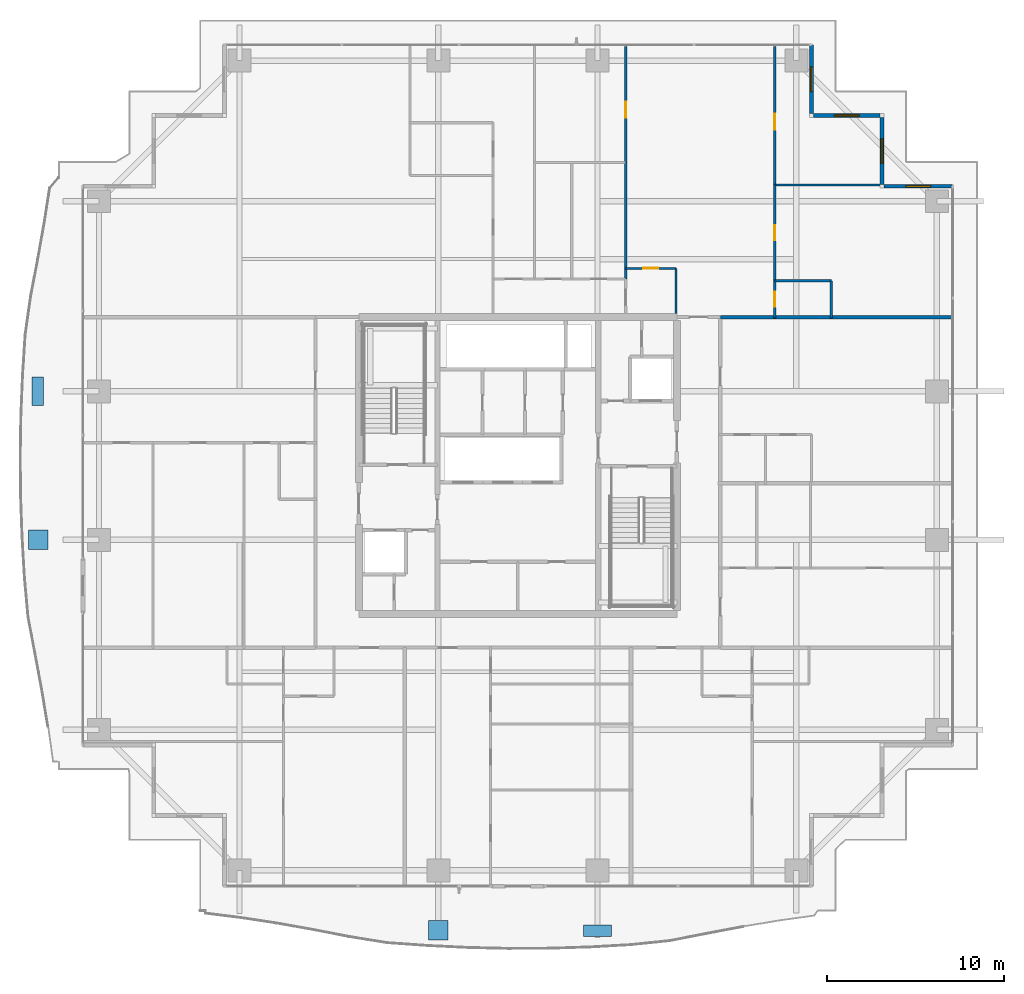
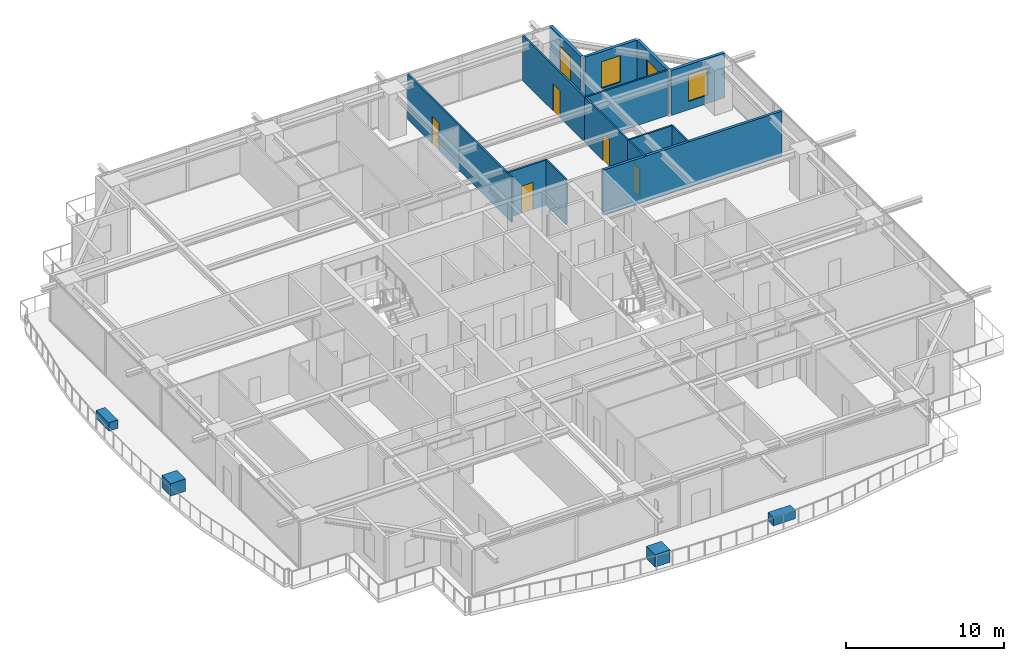
# One storey, part 27 of 35: 15 walls, 5 doors, 4 discrete accessories, 4 windows, 9 openings.
"""IFC4 building model written with IfcOpenShell, lengths in metres."""

from ifc_helpers import new_model, si_unit, direction, frame, frame_2d, origin, origin_2d, place, context, subcontext, project, spatial, rectangle, extrude, source, transform, mapped, material, layer, layer_set, type_object, element, fill, save


model = new_model("IFC4")

# Units and contexts
model_context = context("Model", 3, precision=1e-05, world=origin(), true_north=direction((0.0, 1.0)))
body_context = subcontext(model_context, "Body", "Model", "MODEL_VIEW")
ifc_project = project(units=[si_unit("LENGTHUNIT", "METRE"), si_unit("AREAUNIT", "SQUARE_METRE"), si_unit("VOLUMEUNIT", "CUBIC_METRE"), si_unit("PLANEANGLEUNIT", "RADIAN"), si_unit("MASSUNIT", "GRAM", prefix="KILO")], contexts=[model_context])

# Site, building, storey
site_placement = place(None, origin())
site = spatial("IfcSite", under=ifc_project, at=site_placement, CompositionType="ELEMENT")
building_placement = place(site_placement, origin())
building = spatial("IfcBuilding", under=site, at=building_placement, Name="Serunith Strait Residences", CompositionType="ELEMENT")
storey_placement = place(building_placement, frame((0.0, 0.0, 157.64990234375)))
storey = spatial("IfcBuildingStorey", under=building, at=storey_placement, Name="L39", CompositionType="ELEMENT", Elevation=157.64990234375)

# Wall, opening, window
ifc_material_1 = material(Name="Pale-Champagne Aluminium Insulated Panel", Category="aluminium")
ifc_layer_1 = layer(ifc_material_1, 0.219970703125, Name="Pale-Champagne Aluminium Insulated Panel")
ifc_layer_set_1 = layer_set([ifc_layer_1], Name="Pale-Champagne Aluminium Insulated Panel")
wall_type_1 = type_object("IfcWallType", Name="EW-ALUM-220", PredefinedType="ELEMENTEDWALL", material=ifc_layer_set_1)
wall_1_placement = place(storey_placement, frame((57.0, 41.0, 0.0), z_axis=(0.0, 0.0, 1.0), x_axis=(-1.0, 0.0, 0.0)))
wall_1 = element("IfcWall", 1, at=wall_1_placement, inside=storey, type_object=wall_type_1, Name="L39 Girih Serrated Corner Wall 07", PredefinedType="ELEMENTEDWALL", context=body_context, shape_type="SweptSolid", body=[
    extrude(rectangle(XDim=3.889892578125, YDim=0.219970703125, at=frame_2d((1.94482421875, 0.0))), origin(), (0.0, 0.0, 1.0), 3.47509765625),
])
opening_1_placement = place(wall_1_placement, frame((1.2451171875, 0.0, 0.64990234375)))
opening_1 = element("IfcOpeningElement", 2, at=opening_1_placement, cuts=wall_1, Name="Opening W-03", PredefinedType="OPENING", context=body_context, shape_type="SweptSolid", body=[
    extrude(rectangle(XDim=1.39990234375, YDim=2.050048828125, at=frame_2d((0.699951171875, 1.02490234375))), frame((0.0, 0.1201171875, 0.0), z_axis=(0.0, -1.0, 0.0), x_axis=(1.0, 0.0, 0.0)), (0.0, 0.0, 1.0), 0.239990234375),
])
ifc_material_2 = material(Name="Ceramic-Fritted Operable Aluminium Window Glass", Category="aluminium")
window_type = type_object("IfcWindowType", Name="WIN-C3", PartitioningType="SINGLE_PANEL", PredefinedType="WINDOW", material=ifc_material_2)
shared_shape_1 = source(origin(), body_context, "Body", "SweptSolid", [
    extrude(rectangle(XDim=1.39990234375, YDim=2.050048828125, at=frame_2d((0.699951171875, 1.02490234375))), frame((0.0, 0.030029296875, 0.0), z_axis=(0.0, -1.0, 0.0), x_axis=(1.0, 0.0, 0.0)), (0.0, 0.0, 1.0), 0.06005859375),
])
window_1_placement = place(opening_1_placement, origin())
window_1 = element("IfcWindow", 3, at=window_1_placement, inside=storey, type_object=window_type, Name="L39 Corner Operable Fritted Window 07", OverallHeight=2.050048828125, OverallWidth=1.39990234375, PartitioningType="SINGLE_PANEL", PredefinedType="WINDOW", context=body_context, shape_type="MappedRepresentation", body=[
    mapped(shared_shape_1, transform((0.0, 0.0, 0.0), scale=1.0)),
])
fill(opening_1, window_1)

wall_2_placement = place(storey_placement, frame((53.0, 41.110107421875, 0.0), z_axis=(0.0, 0.0, 1.0), x_axis=(0.0, 1.0, 0.0)))
wall_2 = element("IfcWall", 4, at=wall_2_placement, inside=storey, type_object=wall_type_1, Name="L39 Girih Serrated Corner Wall 08", PredefinedType="ELEMENTEDWALL", context=body_context, shape_type="SweptSolid", body=[
    extrude(rectangle(XDim=3.77978515625, YDim=0.219970703125, at=frame_2d((1.889892578125, 0.0))), origin(), (0.0, 0.0, 1.0), 3.47509765625),
])
opening_2_placement = place(wall_2_placement, frame((1.18994140625, 0.0, 0.64990234375)))
opening_2 = element("IfcOpeningElement", 5, at=opening_2_placement, cuts=wall_2, Name="Opening W-03", PredefinedType="OPENING", context=body_context, shape_type="SweptSolid", body=[
    extrude(rectangle(XDim=1.39990234375, YDim=2.050048828125, at=frame_2d((0.699951171875, 1.02490234375))), frame((0.0, 0.1201171875, 0.0), z_axis=(0.0, -1.0, 0.0), x_axis=(1.0, 0.0, 0.0)), (0.0, 0.0, 1.0), 0.239990234375),
])
window_2_placement = place(opening_2_placement, origin())
window_2 = element("IfcWindow", 6, at=window_2_placement, inside=storey, type_object=window_type, Name="L39 Corner Operable Fritted Window 08", OverallHeight=2.050048828125, OverallWidth=1.39990234375, PartitioningType="SINGLE_PANEL", PredefinedType="WINDOW", context=body_context, shape_type="MappedRepresentation", body=[
    mapped(shared_shape_1, transform((0.0, 0.0, 0.0), scale=1.0)),
])
fill(opening_2, window_2)

wall_3_placement = place(storey_placement, frame((52.889892578125, 45.0, 0.0), z_axis=(0.0, 0.0, 1.0), x_axis=(-1.0, 0.0, 0.0)))
wall_3 = element("IfcWall", 7, at=wall_3_placement, inside=storey, type_object=wall_type_1, Name="L39 Girih Serrated Corner Wall 09", PredefinedType="ELEMENTEDWALL", context=body_context, shape_type="SweptSolid", body=[
    extrude(rectangle(XDim=3.77978515625, YDim=0.219970703125, at=frame_2d((1.889892578125, 0.0))), origin(), (0.0, 0.0, 1.0), 3.47509765625),
])
opening_3_placement = place(wall_3_placement, frame((1.18994140625, 0.0, 0.64990234375)))
opening_3 = element("IfcOpeningElement", 8, at=opening_3_placement, cuts=wall_3, Name="Opening W-03", PredefinedType="OPENING", context=body_context, shape_type="SweptSolid", body=[
    extrude(rectangle(XDim=1.39990234375, YDim=2.050048828125, at=frame_2d((0.699951171875, 1.02490234375))), frame((0.0, 0.1201171875, 0.0), z_axis=(0.0, -1.0, 0.0), x_axis=(1.0, 0.0, 0.0)), (0.0, 0.0, 1.0), 0.239990234375),
])
window_3_placement = place(opening_3_placement, origin())
window_3 = element("IfcWindow", 9, at=window_3_placement, inside=storey, type_object=window_type, Name="L39 Corner Operable Fritted Window 09", OverallHeight=2.050048828125, OverallWidth=1.39990234375, PartitioningType="SINGLE_PANEL", PredefinedType="WINDOW", context=body_context, shape_type="MappedRepresentation", body=[
    mapped(shared_shape_1, transform((0.0, 0.0, 0.0), scale=1.0)),
])
fill(opening_3, window_3)

wall_4_placement = place(storey_placement, frame((49.0, 45.110107421875, 0.0), z_axis=(0.0, 0.0, 1.0), x_axis=(0.0, 1.0, 0.0)))
wall_4 = element("IfcWall", 10, at=wall_4_placement, inside=storey, type_object=wall_type_1, Name="L39 Girih Serrated Corner Wall 10", PredefinedType="ELEMENTEDWALL", context=body_context, shape_type="SweptSolid", body=[
    extrude(rectangle(XDim=3.889892578125, YDim=0.219970703125, at=frame_2d((1.94482421875, 0.0))), origin(), (0.0, 0.0, 1.0), 3.47509765625),
])
opening_4_placement = place(wall_4_placement, frame((1.2451171875, 0.0, 0.64990234375)))
opening_4 = element("IfcOpeningElement", 11, at=opening_4_placement, cuts=wall_4, Name="Opening W-03", PredefinedType="OPENING", context=body_context, shape_type="SweptSolid", body=[
    extrude(rectangle(XDim=1.39990234375, YDim=2.050048828125, at=frame_2d((0.699951171875, 1.02490234375))), frame((0.0, 0.1201171875, 0.0), z_axis=(0.0, -1.0, 0.0), x_axis=(1.0, 0.0, 0.0)), (0.0, 0.0, 1.0), 0.239990234375),
])
window_4_placement = place(opening_4_placement, origin())
window_4 = element("IfcWindow", 12, at=window_4_placement, inside=storey, type_object=window_type, Name="L39 Corner Operable Fritted Window 10", OverallHeight=2.050048828125, OverallWidth=1.39990234375, PartitioningType="SINGLE_PANEL", PredefinedType="WINDOW", context=body_context, shape_type="MappedRepresentation", body=[
    mapped(shared_shape_1, transform((0.0, 0.0, 0.0), scale=1.0)),
])
fill(opening_4, window_4)

# Wall, opening, door
ifc_material_3 = material(Name="Lightweight steel-stud gypsum partition", Category="steel")
ifc_layer_2 = layer(ifc_material_3, 0.1201171875, Name="Lightweight steel-stud gypsum partition")
ifc_layer_set_2 = layer_set([ifc_layer_2], Name="Lightweight steel-stud gypsum partition")
wall_type_2 = type_object("IfcWallType", Name="IW-PART-120", PredefinedType="PARTITIONING", material=ifc_layer_set_2)
wall_5_placement = place(storey_placement, frame((38.5, 36.35009765625, 0.0), z_axis=(0.0, 0.0, 1.0), x_axis=(1.0, 0.0, 0.0)))
wall_5 = element("IfcWall", 13, at=wall_5_placement, inside=storey, type_object=wall_type_2, Name="L39 Partition Wall 055", PredefinedType="PARTITIONING", context=body_context, shape_type="SweptSolid", body=[
    extrude(rectangle(XDim=2.85009765625, YDim=0.1201171875, at=frame_2d((1.425048828125, 0.0))), origin(), (0.0, 0.0, 1.0), 3.489990234375),
])
opening_5_placement = place(wall_5_placement, frame((1.0, 0.0, 0.0)))
opening_5 = element("IfcOpeningElement", 14, at=opening_5_placement, cuts=wall_5, Name="Opening D-RM850", PredefinedType="OPENING", context=body_context, shape_type="SweptSolid", body=[
    extrude(rectangle(XDim=0.85009765625, YDim=2.10009765625, at=frame_2d((0.425048828125, 1.050048828125))), frame((0.0, 0.070068359375, 0.0), z_axis=(0.0, -1.0, 0.0), x_axis=(1.0, 0.0, 0.0)), (0.0, 0.0, 1.0), 0.14013671875),
])
ifc_material_4 = material(Name="Engineered timber flush study and kitchen door", Category="wood")
door_type_1 = type_object("IfcDoorType", Name="ID-ROOM-850", OperationType="NOTDEFINED", PredefinedType="DOOR", material=ifc_material_4)
shared_shape_2 = source(origin(), body_context, "Body", "SweptSolid", [
    extrude(rectangle(XDim=0.85009765625, YDim=2.10009765625, at=frame_2d((0.425048828125, 1.050048828125))), frame((0.0, 0.02490234375, 0.0), z_axis=(0.0, -1.0, 0.0), x_axis=(1.0, 0.0, 0.0)), (0.0, 0.0, 1.0), 0.050048828125),
])
door_1_placement = place(opening_5_placement, origin())
door_1 = element("IfcDoor", 15, at=door_1_placement, inside=storey, type_object=door_type_1, Name="L39 Kitchen 3904 Door", OperationType="SINGLE_SWING_LEFT", OverallHeight=2.10009765625, OverallWidth=0.85009765625, PredefinedType="DOOR", context=body_context, shape_type="MappedRepresentation", body=[
    mapped(shared_shape_2, transform((0.0, 0.0, 0.0), scale=1.0)),
])
fill(opening_5, door_1)

# Wall
wall_6_placement = place(storey_placement, frame((41.35009765625, 36.35009765625, 0.0), z_axis=(0.0, 0.0, 1.0), x_axis=(0.0, -1.0, 0.0)))
element("IfcWall", 16, at=wall_6_placement, inside=storey, type_object=wall_type_2, Name="L39 Partition Wall 056", PredefinedType="PARTITIONING", context=body_context, shape_type="SweptSolid", body=[
    extrude(rectangle(XDim=2.550048828125, YDim=0.1201171875, at=frame_2d((1.27490234375, 0.0))), origin(), (0.0, 0.0, 1.0), 3.489990234375),
])

# Wall, opening, door
wall_7_placement = place(storey_placement, frame((38.5, 48.905029296875, 0.0), z_axis=(0.0, 0.0, 1.0), x_axis=(0.0, -1.0, 0.0)))
wall_7 = element("IfcWall", 17, at=wall_7_placement, inside=storey, type_object=wall_type_2, Name="L39 Partition Wall 058", PredefinedType="PARTITIONING", context=body_context, shape_type="SweptSolid", body=[
    extrude(rectangle(XDim=6.568115234375, YDim=0.1201171875, at=frame_2d((3.2841796875, 0.0))), origin(), (0.0, 0.0, 1.0), 3.489990234375),
])
opening_6_placement = place(wall_7_placement, frame((3.116943359375, 0.0, 0.0)))
opening_6 = element("IfcOpeningElement", 18, at=opening_6_placement, cuts=wall_7, Name="Opening D-RM900", PredefinedType="OPENING", context=body_context, shape_type="SweptSolid", body=[
    extrude(rectangle(XDim=0.89990234375, YDim=2.10009765625, at=frame_2d((0.449951171875, 1.050048828125))), frame((0.0, 0.070068359375, 0.0), z_axis=(0.0, -1.0, 0.0), x_axis=(1.0, 0.0, 0.0)), (0.0, 0.0, 1.0), 0.14013671875),
])
ifc_material_5 = material(Name="Engineered timber flush bedroom door", Category="wood")
door_type_2 = type_object("IfcDoorType", Name="ID-ROOM-900", OperationType="NOTDEFINED", PredefinedType="DOOR", material=ifc_material_5)
shared_shape_3 = source(origin(), body_context, "Body", "SweptSolid", [
    extrude(rectangle(XDim=0.89990234375, YDim=2.10009765625, at=frame_2d((0.449951171875, 1.050048828125))), frame((0.0, 0.02490234375, 0.0), z_axis=(0.0, -1.0, 0.0), x_axis=(1.0, 0.0, 0.0)), (0.0, 0.0, 1.0), 0.050048828125),
])
door_2_placement = place(opening_6_placement, origin())
door_2 = element("IfcDoor", 19, at=door_2_placement, inside=storey, type_object=door_type_2, Name="L39 Formal Dining Room 1 3904 Door", OperationType="SINGLE_SWING_LEFT", OverallHeight=2.10009765625, OverallWidth=0.89990234375, PredefinedType="DOOR", context=body_context, shape_type="MappedRepresentation", body=[
    mapped(shared_shape_3, transform((0.0, 0.0, 0.0), scale=1.0)),
])
fill(opening_6, door_2)

# Wall
wall_8_placement = place(storey_placement, frame((38.5, 42.3349609375, 0.0), z_axis=(0.0, 0.0, 1.0), x_axis=(0.0, -1.0, 0.0)))
element("IfcWall", 20, at=wall_8_placement, inside=storey, type_object=wall_type_2, Name="L39 Partition Wall 059", PredefinedType="PARTITIONING", context=body_context, shape_type="SweptSolid", body=[
    extrude(rectangle(XDim=6.5830078125, YDim=0.1201171875, at=frame_2d((3.29150390625, 0.0))), origin(), (0.0, 0.0, 1.0), 3.489990234375),
])

# Wall, opening, door
wall_9_placement = place(storey_placement, frame((46.929931640625, 48.905029296875, 0.0), z_axis=(0.0, 0.0, 1.0), x_axis=(0.0, -1.0, 0.0)))
wall_9 = element("IfcWall", 21, at=wall_9_placement, inside=storey, type_object=wall_type_2, Name="L39 Partition Wall 072", PredefinedType="PARTITIONING", context=body_context, shape_type="SweptSolid", body=[
    extrude(rectangle(XDim=7.830078125, YDim=0.1201171875, at=frame_2d((3.9150390625, 0.0))), origin(), (0.0, 0.0, 1.0), 3.489990234375),
])
opening_7_placement = place(wall_9_placement, frame((3.81103515625, 0.0, 0.0)))
opening_7 = element("IfcOpeningElement", 22, at=opening_7_placement, cuts=wall_9, Name="Opening D-RM900", PredefinedType="OPENING", context=body_context, shape_type="SweptSolid", body=[
    extrude(rectangle(XDim=0.89990234375, YDim=2.10009765625, at=frame_2d((0.449951171875, 1.050048828125))), frame((0.0, 0.070068359375, 0.0), z_axis=(0.0, -1.0, 0.0), x_axis=(1.0, 0.0, 0.0)), (0.0, 0.0, 1.0), 0.14013671875),
])
door_3_placement = place(opening_7_placement, origin())
door_3 = element("IfcDoor", 23, at=door_3_placement, inside=storey, type_object=door_type_2, Name="L39 Bedroom 3 3904 Door", OperationType="SINGLE_SWING_LEFT", OverallHeight=2.10009765625, OverallWidth=0.89990234375, PredefinedType="DOOR", context=body_context, shape_type="MappedRepresentation", body=[
    mapped(shared_shape_3, transform((0.0, 0.0, 0.0), scale=1.0)),
])
fill(opening_7, door_3)

# Walls
wall_10_placement = place(storey_placement, frame((46.929931640625, 41.074951171875, 0.0), z_axis=(0.0, 0.0, 1.0), x_axis=(1.0, 0.0, 0.0)))
element("IfcWall", 24, at=wall_10_placement, inside=storey, type_object=wall_type_2, Name="L39 Partition Wall 073", PredefinedType="PARTITIONING", context=body_context, shape_type="SweptSolid", body=[
    extrude(rectangle(XDim=5.97509765625, YDim=0.1201171875, at=frame_2d((2.987548828125, 0.0))), origin(), (0.0, 0.0, 1.0), 3.489990234375),
])
wall_11_placement = place(storey_placement, frame((46.929931640625, 35.64990234375, 0.0), z_axis=(0.0, 0.0, 1.0), x_axis=(1.0, 0.0, 0.0)))
element("IfcWall", 25, at=wall_11_placement, inside=storey, type_object=wall_type_2, Name="L39 Partition Wall 074", PredefinedType="PARTITIONING", context=body_context, shape_type="SweptSolid", body=[
    extrude(rectangle(XDim=3.199951171875, YDim=0.1201171875, at=frame_2d((1.60009765625, 0.0))), origin(), (0.0, 0.0, 1.0), 3.489990234375),
])
wall_12_placement = place(storey_placement, frame((50.1298828125, 35.64990234375, 0.0), z_axis=(0.0, 0.0, 1.0), x_axis=(0.0, -1.0, 0.0)))
element("IfcWall", 26, at=wall_12_placement, inside=storey, type_object=wall_type_2, Name="L39 Partition Wall 075", PredefinedType="PARTITIONING", context=body_context, shape_type="SweptSolid", body=[
    extrude(rectangle(XDim=2.10986328125, YDim=0.1201171875, at=frame_2d((1.054931640625, 0.0))), origin(), (0.0, 0.0, 1.0), 3.489990234375),
])

# Wall, opening, door
wall_13_placement = place(storey_placement, frame((46.929931640625, 41.072998046875, 0.0), z_axis=(0.0, 0.0, 1.0), x_axis=(0.0, -1.0, 0.0)))
wall_13 = element("IfcWall", 27, at=wall_13_placement, inside=storey, type_object=wall_type_2, Name="L39 Partition Wall 076", PredefinedType="PARTITIONING", context=body_context, shape_type="SweptSolid", body=[
    extrude(rectangle(XDim=5.423095703125, YDim=0.1201171875, at=frame_2d((2.71142578125, 0.0))), origin(), (0.0, 0.0, 1.0), 3.489990234375),
])
opening_8_placement = place(wall_13_placement, frame((2.287109375, 0.0, 0.0)))
opening_8 = element("IfcOpeningElement", 28, at=opening_8_placement, cuts=wall_13, Name="Opening D-RM850", PredefinedType="OPENING", context=body_context, shape_type="SweptSolid", body=[
    extrude(rectangle(XDim=0.85009765625, YDim=2.10009765625, at=frame_2d((0.425048828125, 1.050048828125))), frame((0.0, 0.070068359375, 0.0), z_axis=(0.0, -1.0, 0.0), x_axis=(1.0, 0.0, 0.0)), (0.0, 0.0, 1.0), 0.14013671875),
])
door_4_placement = place(opening_8_placement, origin())
door_4 = element("IfcDoor", 29, at=door_4_placement, inside=storey, type_object=door_type_1, Name="L39 Walk-in Wardrobe 3904 Door", OperationType="SINGLE_SWING_RIGHT", OverallHeight=2.10009765625, OverallWidth=0.85009765625, PredefinedType="DOOR", context=body_context, shape_type="MappedRepresentation", body=[
    mapped(shared_shape_2, transform((0.0, 0.0, 0.0), scale=1.0)),
])
fill(opening_8, door_4)

wall_14_placement = place(storey_placement, frame((46.929931640625, 35.64794921875, 0.0), z_axis=(0.0, 0.0, 1.0), x_axis=(0.0, -1.0, 0.0)))
wall_14 = element("IfcWall", 30, at=wall_14_placement, inside=storey, type_object=wall_type_2, Name="L39 Partition Wall 077", PredefinedType="PARTITIONING", context=body_context, shape_type="SweptSolid", body=[
    extrude(rectangle(XDim=2.10791015625, YDim=0.1201171875, at=frame_2d((1.053955078125, 0.0))), origin(), (0.0, 0.0, 1.0), 3.489990234375),
])
opening_9_placement = place(wall_14_placement, frame((0.62890625, 0.0, 0.0)))
opening_9 = element("IfcOpeningElement", 31, at=opening_9_placement, cuts=wall_14, Name="Opening D-BTH850", PredefinedType="OPENING", context=body_context, shape_type="SweptSolid", body=[
    extrude(rectangle(XDim=0.85009765625, YDim=2.10009765625, at=frame_2d((0.425048828125, 1.050048828125))), frame((0.0, 0.070068359375, 0.0), z_axis=(0.0, -1.0, 0.0), x_axis=(1.0, 0.0, 0.0)), (0.0, 0.0, 1.0), 0.14013671875),
])
ifc_material_6 = material(Name="Moisture-resistant timber bathroom door", Category="wood")
door_type_3 = type_object("IfcDoorType", Name="ID-BATH-850", OperationType="NOTDEFINED", PredefinedType="DOOR", material=ifc_material_6)
door_5_placement = place(opening_9_placement, origin())
door_5 = element("IfcDoor", 32, at=door_5_placement, inside=storey, type_object=door_type_3, Name="L39 Bathroom 3904 Door", OperationType="SINGLE_SWING_LEFT", OverallHeight=2.10009765625, OverallWidth=0.85009765625, PredefinedType="DOOR", context=body_context, shape_type="MappedRepresentation", body=[
    mapped(shared_shape_2, transform((0.0, 0.0, 0.0), scale=1.0)),
])
fill(opening_9, door_5)

# Wall
ifc_material_7 = material(Name="Twin-stud acoustic gypsum board partition")
ifc_layer_3 = layer(ifc_material_7, 0.199951171875, Name="Twin-stud acoustic gypsum board partition")
ifc_layer_set_3 = layer_set([ifc_layer_3], Name="Twin-stud acoustic gypsum board partition")
wall_type_3 = type_object("IfcWallType", Name="IW-PARTY-200", PredefinedType="PARTITIONING", material=ifc_layer_set_3)
wall_15_placement = place(storey_placement, frame((43.85009765625, 33.60009765625, 0.0), z_axis=(0.0, 0.0, 1.0), x_axis=(1.0, 0.0, 0.0)))
element("IfcWall", 33, at=wall_15_placement, inside=storey, type_object=wall_type_3, Name="L39 Partition Wall 026", PredefinedType="PARTITIONING", context=body_context, shape_type="SweptSolid", body=[
    extrude(rectangle(XDim=13.06787109375, YDim=0.199951171875, at=frame_2d((6.533935546875, 0.0))), origin(), (0.0, 0.0, 1.0), 3.489990234375),
])

# Discrete accessories
ifc_material_8 = material(Name="GFRC Root-Anchored Structural Planter")
discrete_accessory_type_1 = type_object("IfcDiscreteAccessoryType", Name="ACC-PLANTER-TREE", PredefinedType="USERDEFINED", material=ifc_material_8)
shared_shape_4 = source(origin(), body_context, "Body", "SweptSolid", [
    extrude(rectangle(XDim=1.10009765625, YDim=1.10009765625, at=origin_2d()), origin(), (0.0, 0.0, 1.0), 0.949951171875),
])
for number, where, z_axis, x_axis, name in (
    (34, (27.89990234375, -1.091796875, -0.0498046875), (0.0, 0.0, 1.0), (1.0, 0.0, 0.0), "L39 Vertical-Forest Tree Planter 02"),
    (35, (5.27197265625, 21.0, -0.0498046875), (0.0, 0.0, 1.0), (0.0, -1.0, 0.0), "L39 Vertical-Forest Tree Planter 14"),
):
    element("IfcDiscreteAccessory", number, at=place(storey_placement, frame(where, z_axis=z_axis, x_axis=x_axis)), inside=storey, type_object=discrete_accessory_type_1, Name=name, ObjectType="PLANTER", PredefinedType="USERDEFINED", context=body_context, shape_type="MappedRepresentation", body=[
        mapped(shared_shape_4, transform((0.0, 0.0, 0.0), scale=1.0)),
    ])
ifc_material_9 = material(Name="GFRC Irrigated Shrub Trough Planter")
discrete_accessory_type_2 = type_object("IfcDiscreteAccessoryType", Name="ACC-PLANTER-SHRUB", PredefinedType="USERDEFINED", material=ifc_material_9)
shared_shape_5 = source(origin(), body_context, "Body", "SweptSolid", [
    extrude(rectangle(XDim=1.60009765625, YDim=0.64990234375, at=origin_2d()), origin(), (0.0, 0.0, 1.0), 0.64990234375),
])
for number, where, z_axis, x_axis, name in (
    (36, (36.89990234375, -1.1201171875, -0.0498046875), (0.0, 0.0, 1.0), (1.0, 0.0, 0.0), "L39 Vertical-Forest Shrub Planter 03"),
    (37, (5.25244140625, 29.39990234375, -0.0498046875), (0.0, 0.0, 1.0), (0.0, -1.0, 0.0), "L39 Vertical-Forest Shrub Planter 15"),
):
    element("IfcDiscreteAccessory", number, at=place(storey_placement, frame(where, z_axis=z_axis, x_axis=x_axis)), inside=storey, type_object=discrete_accessory_type_2, Name=name, ObjectType="PLANTER", PredefinedType="USERDEFINED", context=body_context, shape_type="MappedRepresentation", body=[
        mapped(shared_shape_5, transform((0.0, 0.0, 0.0), scale=1.0)),
    ])

save(model, "model.ifc")
